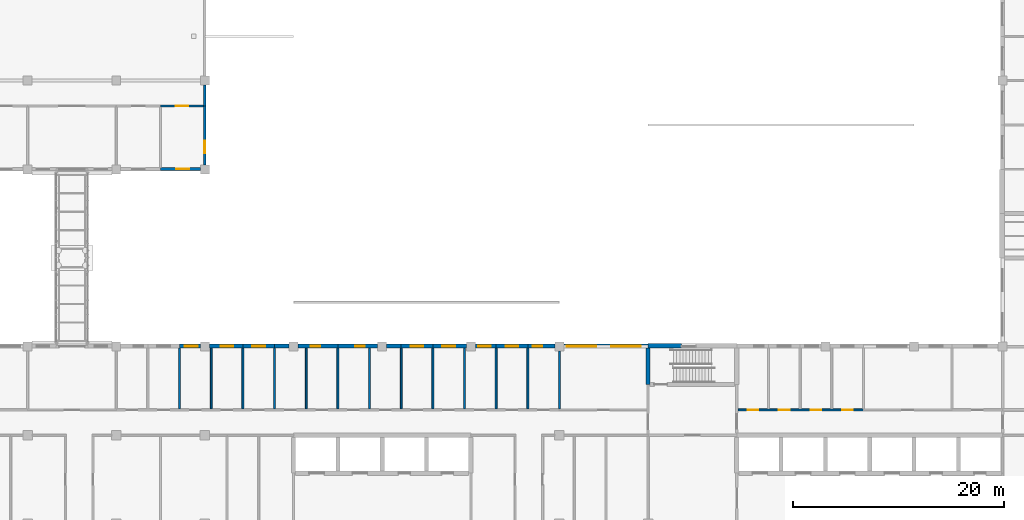
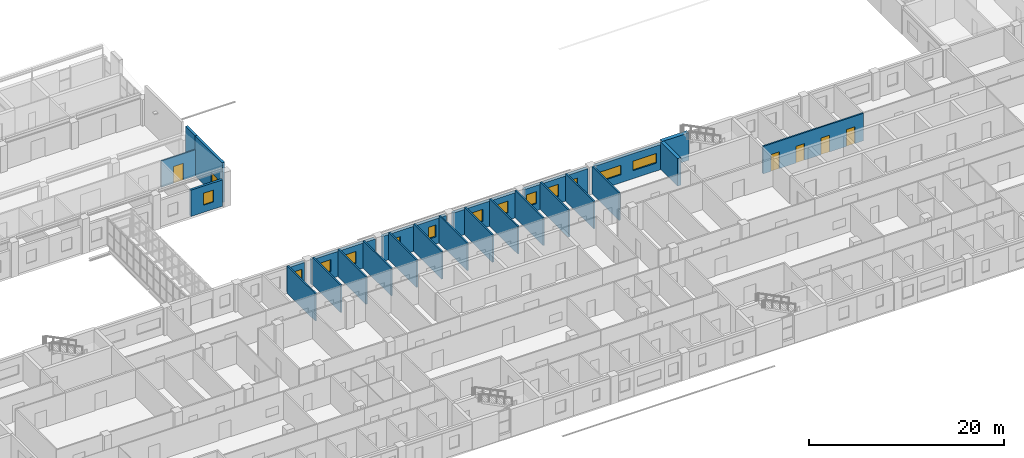
# One storey, part 63 of 94: 33 walls, 14 windows, 5 doors, 19 openings.
"""IFC4 building model written with IfcOpenShell, lengths in metres."""

from ifc_helpers import new_model, si_unit, direction, frame, frame_2d, origin, place, context, subcontext, project, spatial, rectangle, extrude, material, layer, layer_set, type_object, element, fill, save


model = new_model("IFC4")

# Units and contexts
model_context = context("Model", 3, precision=1e-05, world=origin(), true_north=direction((0.0, 1.0)))
body_context = subcontext(model_context, "Body", "Model", "MODEL_VIEW")
ifc_project = project(units=[si_unit("LENGTHUNIT", "METRE"), si_unit("AREAUNIT", "SQUARE_METRE"), si_unit("VOLUMEUNIT", "CUBIC_METRE"), si_unit("PLANEANGLEUNIT", "RADIAN"), si_unit("MASSUNIT", "GRAM", prefix="KILO")], contexts=[model_context])

# Site, building, storey
site_placement = place(None, origin())
site = spatial("IfcSite", under=ifc_project, at=site_placement, CompositionType="ELEMENT")
building_placement = place(site_placement, origin())
building = spatial("IfcBuilding", under=site, at=building_placement, Name="Yavir Park General Hospital", CompositionType="ELEMENT")
storey_placement = place(building_placement, frame((0.0, 0.0, 4.5)))
storey = spatial("IfcBuildingStorey", under=building, at=storey_placement, Name="L01", CompositionType="ELEMENT", Elevation=4.5)

# Wall, openings, doors
ifc_material_1 = material(Name="Double-leaf gypsum board acoustic partition on staggered studs")
ifc_layer_1 = layer(ifc_material_1, 0.175048828125)
ifc_layer_set_1 = layer_set([ifc_layer_1], Name="Double-leaf gypsum board acoustic partition on staggered studs")
wall_type_1 = type_object("IfcWallType", Name="Acoustic partition 175", PredefinedType="PARTITIONING", material=ifc_layer_set_1)
wall_1_placement = place(storey_placement, frame((117.699951171875, 27.60009765625, 0.0), z_axis=(0.0, 0.0, 1.0), x_axis=(1.0, 0.0, 0.0)))
wall_1 = element("IfcWall", 1, at=wall_1_placement, inside=storey, type_object=wall_type_1, Name="AP175 L01-118", PredefinedType="PARTITIONING", context=body_context, shape_type="SweptSolid", body=[
    extrude(rectangle(XDim=11.900146484375, YDim=0.175048828125, at=frame_2d((5.9501953125, 0.0))), origin(), (0.0, 0.0, 1.0), 3.449951171875),
])
opening_1_placement = place(wall_1_placement, frame((0.949951171875, 0.0, 0.0)))
opening_1 = element("IfcOpeningElement", 2, at=opening_1_placement, cuts=wall_1, Name="Opening L01.D133", PredefinedType="OPENING", context=body_context, shape_type="SweptSolid", body=[
    extrude(rectangle(XDim=1.0, YDim=2.10009765625, at=frame_2d((0.5, 1.050048828125))), frame((0.0, 0.097412109375, 0.0), z_axis=(0.0, -1.0, 0.0), x_axis=(1.0, 0.0, 0.0)), (0.0, 0.0, 1.0), 0.195068359375),
])
opening_2_placement = place(wall_1_placement, frame((3.89990234375, 0.0, 0.0)))
opening_2 = element("IfcOpeningElement", 3, at=opening_2_placement, cuts=wall_1, Name="Opening L01.D134", PredefinedType="OPENING", context=body_context, shape_type="SweptSolid", body=[
    extrude(rectangle(XDim=1.0, YDim=2.10009765625, at=frame_2d((0.5, 1.050048828125))), frame((0.0, 0.097412109375, 0.0), z_axis=(0.0, -1.0, 0.0), x_axis=(1.0, 0.0, 0.0)), (0.0, 0.0, 1.0), 0.195068359375),
])
opening_3_placement = place(wall_1_placement, frame((6.89990234375, 0.0, 0.0)))
opening_3 = element("IfcOpeningElement", 4, at=opening_3_placement, cuts=wall_1, Name="Opening L01.D135", PredefinedType="OPENING", context=body_context, shape_type="SweptSolid", body=[
    extrude(rectangle(XDim=1.0, YDim=2.10009765625, at=frame_2d((0.5, 1.050048828125))), frame((0.0, 0.097412109375, 0.0), z_axis=(0.0, -1.0, 0.0), x_axis=(1.0, 0.0, 0.0)), (0.0, 0.0, 1.0), 0.195068359375),
])
opening_4_placement = place(wall_1_placement, frame((9.89990234375, 0.0, 0.0)))
opening_4 = element("IfcOpeningElement", 5, at=opening_4_placement, cuts=wall_1, Name="Opening L01.D136", PredefinedType="OPENING", context=body_context, shape_type="SweptSolid", body=[
    extrude(rectangle(XDim=1.0, YDim=2.10009765625, at=frame_2d((0.5, 1.050048828125))), frame((0.0, 0.097412109375, 0.0), z_axis=(0.0, -1.0, 0.0), x_axis=(1.0, 0.0, 0.0)), (0.0, 0.0, 1.0), 0.195068359375),
])
ifc_material_2 = material(Name="Sealed solid-core acoustic door leaf, Rw 42 dB")
door_type_1 = type_object("IfcDoorType", Name="Acoustic door 1000 x 2100", OperationType="SINGLE_SWING_LEFT", PredefinedType="DOOR", material=ifc_material_2)
door_1_placement = place(opening_1_placement, origin())
door_1 = element("IfcDoor", 6, at=door_1_placement, inside=storey, type_object=door_type_1, Name="L01.D133", OperationType="SINGLE_SWING_LEFT", OverallHeight=2.10009765625, OverallWidth=1.0, PredefinedType="DOOR", context=body_context, shape_type="SweptSolid", body=[
    extrude(rectangle(XDim=1.0, YDim=2.10009765625, at=frame_2d((0.5, 1.050048828125))), frame((0.0, 0.03515625, 0.0), z_axis=(0.0, -1.0, 0.0), x_axis=(1.0, 0.0, 0.0)), (0.0, 0.0, 1.0), 0.070068359375),
])
fill(opening_1, door_1)
door_2_placement = place(opening_2_placement, origin())
door_2 = element("IfcDoor", 7, at=door_2_placement, inside=storey, type_object=door_type_1, Name="L01.D134", OperationType="SINGLE_SWING_RIGHT", OverallHeight=2.10009765625, OverallWidth=1.0, PredefinedType="DOOR", context=body_context, shape_type="SweptSolid", body=[
    extrude(rectangle(XDim=1.0, YDim=2.10009765625, at=frame_2d((0.5, 1.050048828125))), frame((0.0, 0.03515625, 0.0), z_axis=(0.0, -1.0, 0.0), x_axis=(1.0, 0.0, 0.0)), (0.0, 0.0, 1.0), 0.070068359375),
])
fill(opening_2, door_2)
door_3_placement = place(opening_3_placement, origin())
door_3 = element("IfcDoor", 8, at=door_3_placement, inside=storey, type_object=door_type_1, Name="L01.D135", OperationType="SINGLE_SWING_RIGHT", OverallHeight=2.10009765625, OverallWidth=1.0, PredefinedType="DOOR", context=body_context, shape_type="SweptSolid", body=[
    extrude(rectangle(XDim=1.0, YDim=2.10009765625, at=frame_2d((0.5, 1.050048828125))), frame((0.0, 0.03515625, 0.0), z_axis=(0.0, -1.0, 0.0), x_axis=(1.0, 0.0, 0.0)), (0.0, 0.0, 1.0), 0.070068359375),
])
fill(opening_3, door_3)
door_4_placement = place(opening_4_placement, origin())
door_4 = element("IfcDoor", 9, at=door_4_placement, inside=storey, type_object=door_type_1, Name="L01.D136", OperationType="SINGLE_SWING_RIGHT", OverallHeight=2.10009765625, OverallWidth=1.0, PredefinedType="DOOR", context=body_context, shape_type="SweptSolid", body=[
    extrude(rectangle(XDim=1.0, YDim=2.10009765625, at=frame_2d((0.5, 1.050048828125))), frame((0.0, 0.03515625, 0.0), z_axis=(0.0, -1.0, 0.0), x_axis=(1.0, 0.0, 0.0)), (0.0, 0.0, 1.0), 0.070068359375),
])
fill(opening_4, door_4)

# Walls
for number, where, z_axis, x_axis, name in (
    (10, (64.800048828125, 27.6875, 0.0), (0.0, 0.0, 1.0), (0.0, 1.0, 0.0), "AP175 L01-373"),
    (11, (67.800048828125, 27.6875, 0.0), (0.0, 0.0, 1.0), (0.0, 1.0, 0.0), "AP175 L01-377"),
    (12, (70.800048828125, 27.6875, 0.0), (0.0, 0.0, 1.0), (0.0, 1.0, 0.0), "AP175 L01-379"),
    (13, (73.800048828125, 27.6875, 0.0), (0.0, 0.0, 1.0), (0.0, 1.0, 0.0), "AP175 L01-381"),
    (14, (76.800048828125, 27.6875, 0.0), (0.0, 0.0, 1.0), (0.0, 1.0, 0.0), "AP175 L01-386"),
    (15, (79.800048828125, 27.6875, 0.0), (0.0, 0.0, 1.0), (0.0, 1.0, 0.0), "AP175 L01-389"),
    (16, (82.800048828125, 27.6875, 0.0), (0.0, 0.0, 1.0), (0.0, 1.0, 0.0), "AP175 L01-391"),
    (17, (85.800048828125, 27.6875, 0.0), (0.0, 0.0, 1.0), (0.0, 1.0, 0.0), "AP175 L01-393"),
    (18, (88.800048828125, 27.6875, 0.0), (0.0, 0.0, 1.0), (0.0, 1.0, 0.0), "AP175 L01-397"),
    (19, (91.800048828125, 27.6875, 0.0), (0.0, 0.0, 1.0), (0.0, 1.0, 0.0), "AP175 L01-399"),
    (20, (94.800048828125, 27.6875, 0.0), (0.0, 0.0, 1.0), (0.0, 1.0, 0.0), "AP175 L01-406"),
    (21, (97.800048828125, 27.6875, 0.0), (0.0, 0.0, 1.0), (0.0, 1.0, 0.0), "AP175 L01-410"),
):
    element("IfcWall", number, at=place(storey_placement, frame(where, z_axis=z_axis, x_axis=x_axis)), inside=storey, type_object=wall_type_1, Name=name, PredefinedType="PARTITIONING", context=body_context, shape_type="SweptSolid", body=[
        extrude(rectangle(XDim=5.762451171875, YDim=0.175048828125, at=frame_2d((2.88134765625, 0.0))), origin(), (0.0, 0.0, 1.0), 3.449951171875),
    ])
wall_2_placement = place(storey_placement, frame((100.800048828125, 27.6875, 0.0), z_axis=(0.0, 0.0, 1.0), x_axis=(0.0, 1.0, 0.0)))
element("IfcWall", 22, at=wall_2_placement, inside=storey, type_object=wall_type_1, Name="AP175 L01-415", PredefinedType="PARTITIONING", context=body_context, shape_type="SweptSolid", body=[
    extrude(rectangle(XDim=5.487548828125, YDim=0.175048828125, at=frame_2d((2.74365234375, 0.0))), origin(), (0.0, 0.0, 1.0), 3.449951171875),
])

# Wall, opening, window
ifc_material_3 = material(Name="Brick slip cladding on insulated block backing", Category="masonry")
ifc_layer_2 = layer(ifc_material_3, 0.27490234375)
ifc_layer_set_2 = layer_set([ifc_layer_2], Name="Brick slip cladding on insulated block backing")
wall_type_2 = type_object("IfcWallType", Name="Brick slip faced pavilion wall 275, E 30", PredefinedType="SOLIDWALL", material=ifc_layer_set_2)
wall_3_placement = place(storey_placement, frame((63.0, 50.41259765625, 0.0), z_axis=(0.0, 0.0, 1.0), x_axis=(1.0, 0.0, 0.0)))
wall_3 = element("IfcWall", 23, at=wall_3_placement, inside=storey, type_object=wall_type_2, Name="XW3 L01-096", PredefinedType="SOLIDWALL", context=body_context, shape_type="SweptSolid", body=[
    extrude(rectangle(XDim=3.77490234375, YDim=0.27490234375, at=frame_2d((1.887451171875, 0.0))), origin(), (0.0, 0.0, 1.0), 3.300048828125),
])
opening_5_placement = place(wall_3_placement, frame((1.5, 0.0, 0.89990234375)))
opening_5 = element("IfcOpeningElement", 24, at=opening_5_placement, cuts=wall_3, Name="Opening WD", PredefinedType="OPENING", context=body_context, shape_type="SweptSolid", body=[
    extrude(rectangle(XDim=1.199951171875, YDim=1.5, at=frame_2d((0.60009765625, 0.75))), frame((0.0, 0.1474609375, 0.0), z_axis=(0.0, -1.0, 0.0), x_axis=(1.0, 0.0, 0.0)), (0.0, 0.0, 1.0), 0.294921875),
])
ifc_material_4 = material(Name="Aluminium frame, double glazed unit", Category="aluminium")
window_type_1 = type_object("IfcWindowType", Name="Office window 1200 x 1500", PartitioningType="SINGLE_PANEL", PredefinedType="WINDOW", material=ifc_material_4)
window_1_placement = place(opening_5_placement, origin())
window_1 = element("IfcWindow", 25, at=window_1_placement, inside=storey, type_object=window_type_1, Name="WD L01-062", OverallHeight=1.5, OverallWidth=1.199951171875, PartitioningType="SINGLE_PANEL", PredefinedType="WINDOW", context=body_context, shape_type="SweptSolid", body=[
    extrude(rectangle(XDim=1.199951171875, YDim=1.5, at=frame_2d((0.60009765625, 0.75))), frame((0.0, 0.030029296875, 0.0), z_axis=(0.0, -1.0, 0.0), x_axis=(1.0, 0.0, 0.0)), (0.0, 0.0, 1.0), 0.06005859375),
])
fill(opening_5, window_1)

wall_4_placement = place(storey_placement, frame((67.1875, 50.824951171875, 0.0), z_axis=(0.0, 0.0, 1.0), x_axis=(0.0, 1.0, 0.0)))
wall_4 = element("IfcWall", 26, at=wall_4_placement, inside=storey, type_object=wall_type_2, Name="XW3 L01-186", PredefinedType="SOLIDWALL", context=body_context, shape_type="SweptSolid", body=[
    extrude(rectangle(XDim=5.574951171875, YDim=0.27490234375, at=frame_2d((2.78759765625, 0.0))), origin(), (0.0, 0.0, 1.0), 5.0),
])
opening_6_placement = place(wall_4_placement, frame((1.074951171875, 0.0, 0.89990234375)))
opening_6 = element("IfcOpeningElement", 27, at=opening_6_placement, cuts=wall_4, Name="Opening WD", PredefinedType="OPENING", context=body_context, shape_type="SweptSolid", body=[
    extrude(rectangle(XDim=1.199951171875, YDim=1.5, at=frame_2d((0.60009765625, 0.75))), frame((0.0, 0.1474609375, 0.0), z_axis=(0.0, -1.0, 0.0), x_axis=(1.0, 0.0, 0.0)), (0.0, 0.0, 1.0), 0.294921875),
])
window_2_placement = place(opening_6_placement, origin())
window_2 = element("IfcWindow", 28, at=window_2_placement, inside=storey, type_object=window_type_1, Name="WD L01-102", OverallHeight=1.5, OverallWidth=1.199951171875, PartitioningType="SINGLE_PANEL", PredefinedType="WINDOW", context=body_context, shape_type="SweptSolid", body=[
    extrude(rectangle(XDim=1.199951171875, YDim=1.5, at=frame_2d((0.60009765625, 0.75))), frame((0.0, 0.030029296875, 0.0), z_axis=(0.0, -1.0, 0.0), x_axis=(1.0, 0.0, 0.0)), (0.0, 0.0, 1.0), 0.06005859375),
])
fill(opening_6, window_2)

# Wall
wall_5_placement = place(storey_placement, frame((67.1875, 56.39990234375, 0.0), z_axis=(0.0, 0.0, 1.0), x_axis=(0.0, 1.0, 0.0)))
element("IfcWall", 29, at=wall_5_placement, inside=storey, type_object=wall_type_2, Name="XW3 L01-187", PredefinedType="SOLIDWALL", context=body_context, shape_type="SweptSolid", body=[
    extrude(rectangle(XDim=1.97509765625, YDim=0.27490234375, at=frame_2d((0.987548828125, 0.0))), origin(), (0.0, 0.0, 1.0), 5.0),
])

# Wall, opening, door
ifc_material_5 = material(Name="Gypsum board partition on steel studs", Category="steel")
ifc_layer_3 = layer(ifc_material_5, 0.14990234375)
ifc_layer_set_3 = layer_set([ifc_layer_3], Name="Gypsum board partition on steel studs")
wall_type_3 = type_object("IfcWallType", Name="Gypsum board partition 150", PredefinedType="PARTITIONING", material=ifc_layer_set_3)
wall_6_placement = place(storey_placement, frame((63.0, 56.39990234375, 0.0), z_axis=(0.0, 0.0, 1.0), x_axis=(1.0, 0.0, 0.0)))
wall_6 = element("IfcWall", 30, at=wall_6_placement, inside=storey, type_object=wall_type_3, Name="P15 L01-170", PredefinedType="PARTITIONING", context=body_context, shape_type="SweptSolid", body=[
    extrude(rectangle(XDim=4.050048828125, YDim=0.14990234375, at=frame_2d((2.02490234375, 0.0))), origin(), (0.0, 0.0, 1.0), 3.300048828125),
])
opening_7_placement = place(wall_6_placement, frame((1.425048828125, 0.0, 0.0)))
opening_7 = element("IfcOpeningElement", 31, at=opening_7_placement, cuts=wall_6, Name="Opening L01.D151", PredefinedType="OPENING", context=body_context, shape_type="SweptSolid", body=[
    extrude(rectangle(XDim=1.199951171875, YDim=2.10009765625, at=frame_2d((0.60009765625, 1.050048828125))), frame((0.0, 0.0849609375, 0.0), z_axis=(0.0, -1.0, 0.0), x_axis=(1.0, 0.0, 0.0)), (0.0, 0.0, 1.0), 0.169921875),
])
ifc_material_6 = material(Name="Hollow metal frame, solid-core timber leaf", Category="wood")
door_type_2 = type_object("IfcDoorType", Name="Single swing door 1200 x 2100", OperationType="SINGLE_SWING_LEFT", PredefinedType="DOOR", material=ifc_material_6)
door_5_placement = place(opening_7_placement, origin())
door_5 = element("IfcDoor", 32, at=door_5_placement, inside=storey, type_object=door_type_2, Name="L01.D151", OperationType="SINGLE_SWING_LEFT", OverallHeight=2.10009765625, OverallWidth=1.199951171875, PredefinedType="DOOR", context=body_context, shape_type="SweptSolid", body=[
    extrude(rectangle(XDim=1.199951171875, YDim=2.10009765625, at=frame_2d((0.60009765625, 1.050048828125))), frame((0.0, 0.02490234375, 0.0), z_axis=(0.0, -1.0, 0.0), x_axis=(1.0, 0.0, 0.0)), (0.0, 0.0, 1.0), 0.050048828125),
])
fill(opening_7, door_5)

# Wall, opening, window
ifc_material_7 = material(Name="Autoclaved aerated block, 150 mm mineral wool and sand-coloured mineral render")
ifc_layer_4 = layer(ifc_material_7, 0.375)
ifc_layer_set_4 = layer_set([ifc_layer_4], Name="Autoclaved aerated block, 150 mm mineral wool and sand-coloured mineral render")
wall_type_4 = type_object("IfcWallType", Name="Mineral render clinical wall 375, E 30", PredefinedType="SOLIDWALL", material=ifc_layer_set_4)
wall_7_placement = place(storey_placement, frame((64.800048828125, 33.637451171875, 0.0), z_axis=(0.0, 0.0, 1.0), x_axis=(1.0, 0.0, 0.0)))
wall_7 = element("IfcWall", 33, at=wall_7_placement, inside=storey, type_object=wall_type_4, Name="XW1 L01-061", PredefinedType="SOLIDWALL", context=body_context, shape_type="SweptSolid", body=[
    extrude(rectangle(XDim=1.974853515625, YDim=0.375, at=frame_2d((0.9873046875, 0.0))), origin(), (0.0, 0.0, 1.0), 3.14990234375),
])
opening_8_placement = place(wall_7_placement, frame((0.5, 0.0, 0.89990234375)))
opening_8 = element("IfcOpeningElement", 34, at=opening_8_placement, cuts=wall_7, Name="Opening WD", PredefinedType="OPENING", context=body_context, shape_type="SweptSolid", body=[
    extrude(rectangle(XDim=1.199951171875, YDim=1.5, at=frame_2d((0.60009765625, 0.75))), frame((0.0, 0.197509765625, 0.0), z_axis=(0.0, -1.0, 0.0), x_axis=(1.0, 0.0, 0.0)), (0.0, 0.0, 1.0), 0.39501953125),
])
window_3_placement = place(opening_8_placement, origin())
window_3 = element("IfcWindow", 35, at=window_3_placement, inside=storey, type_object=window_type_1, Name="WD L01-036", OverallHeight=1.5, OverallWidth=1.199951171875, PartitioningType="SINGLE_PANEL", PredefinedType="WINDOW", context=body_context, shape_type="SweptSolid", body=[
    extrude(rectangle(XDim=1.199951171875, YDim=1.5, at=frame_2d((0.60009765625, 0.75))), frame((0.0, 0.030029296875, 0.0), z_axis=(0.0, -1.0, 0.0), x_axis=(1.0, 0.0, 0.0)), (0.0, 0.0, 1.0), 0.06005859375),
])
fill(opening_8, window_3)

wall_8_placement = place(storey_placement, frame((67.625, 33.637451171875, 0.0), z_axis=(0.0, 0.0, 1.0), x_axis=(1.0, 0.0, 0.0)))
wall_8 = element("IfcWall", 36, at=wall_8_placement, inside=storey, type_object=wall_type_4, Name="XW1 L01-063", PredefinedType="SOLIDWALL", context=body_context, shape_type="SweptSolid", body=[
    extrude(rectangle(XDim=3.175048828125, YDim=0.375, at=frame_2d((1.58740234375, 0.0))), origin(), (0.0, 0.0, 1.0), 3.14990234375),
])
opening_9_placement = place(wall_8_placement, frame((1.074951171875, 0.0, 0.89990234375)))
opening_9 = element("IfcOpeningElement", 37, at=opening_9_placement, cuts=wall_8, Name="Opening WD", PredefinedType="OPENING", context=body_context, shape_type="SweptSolid", body=[
    extrude(rectangle(XDim=1.199951171875, YDim=1.5, at=frame_2d((0.60009765625, 0.75))), frame((0.0, 0.197509765625, 0.0), z_axis=(0.0, -1.0, 0.0), x_axis=(1.0, 0.0, 0.0)), (0.0, 0.0, 1.0), 0.39501953125),
])
window_4_placement = place(opening_9_placement, origin())
window_4 = element("IfcWindow", 38, at=window_4_placement, inside=storey, type_object=window_type_1, Name="WD L01-037", OverallHeight=1.5, OverallWidth=1.199951171875, PartitioningType="SINGLE_PANEL", PredefinedType="WINDOW", context=body_context, shape_type="SweptSolid", body=[
    extrude(rectangle(XDim=1.199951171875, YDim=1.5, at=frame_2d((0.60009765625, 0.75))), frame((0.0, 0.030029296875, 0.0), z_axis=(0.0, -1.0, 0.0), x_axis=(1.0, 0.0, 0.0)), (0.0, 0.0, 1.0), 0.06005859375),
])
fill(opening_9, window_4)

wall_9_placement = place(storey_placement, frame((70.800048828125, 33.637451171875, 0.0), z_axis=(0.0, 0.0, 1.0), x_axis=(1.0, 0.0, 0.0)))
wall_9 = element("IfcWall", 39, at=wall_9_placement, inside=storey, type_object=wall_type_4, Name="XW1 L01-064", PredefinedType="SOLIDWALL", context=body_context, shape_type="SweptSolid", body=[
    extrude(rectangle(XDim=3.0, YDim=0.375, at=frame_2d((1.5, 0.0))), origin(), (0.0, 0.0, 1.0), 3.14990234375),
])
opening_10_placement = place(wall_9_placement, frame((0.89990234375, 0.0, 0.89990234375)))
opening_10 = element("IfcOpeningElement", 40, at=opening_10_placement, cuts=wall_9, Name="Opening WD", PredefinedType="OPENING", context=body_context, shape_type="SweptSolid", body=[
    extrude(rectangle(XDim=1.199951171875, YDim=1.5, at=frame_2d((0.60009765625, 0.75))), frame((0.0, 0.197509765625, 0.0), z_axis=(0.0, -1.0, 0.0), x_axis=(1.0, 0.0, 0.0)), (0.0, 0.0, 1.0), 0.39501953125),
])
window_5_placement = place(opening_10_placement, origin())
window_5 = element("IfcWindow", 41, at=window_5_placement, inside=storey, type_object=window_type_1, Name="WD L01-038", OverallHeight=1.5, OverallWidth=1.199951171875, PartitioningType="SINGLE_PANEL", PredefinedType="WINDOW", context=body_context, shape_type="SweptSolid", body=[
    extrude(rectangle(XDim=1.199951171875, YDim=1.5, at=frame_2d((0.60009765625, 0.75))), frame((0.0, 0.030029296875, 0.0), z_axis=(0.0, -1.0, 0.0), x_axis=(1.0, 0.0, 0.0)), (0.0, 0.0, 1.0), 0.06005859375),
])
fill(opening_10, window_5)

# Wall
wall_10_placement = place(storey_placement, frame((73.800048828125, 33.637451171875, 0.0), z_axis=(0.0, 0.0, 1.0), x_axis=(1.0, 0.0, 0.0)))
element("IfcWall", 42, at=wall_10_placement, inside=storey, type_object=wall_type_4, Name="XW1 L01-065", PredefinedType="SOLIDWALL", context=body_context, shape_type="SweptSolid", body=[
    extrude(rectangle(XDim=1.375, YDim=0.375, at=frame_2d((0.6875, 0.0))), origin(), (0.0, 0.0, 1.0), 3.14990234375),
])

# Wall, opening, window
wall_11_placement = place(storey_placement, frame((76.02490234375, 33.637451171875, 0.0), z_axis=(0.0, 0.0, 1.0), x_axis=(1.0, 0.0, 0.0)))
wall_11 = element("IfcWall", 43, at=wall_11_placement, inside=storey, type_object=wall_type_4, Name="XW1 L01-067", PredefinedType="SOLIDWALL", context=body_context, shape_type="SweptSolid", body=[
    extrude(rectangle(XDim=3.775146484375, YDim=0.375, at=frame_2d((1.8876953125, 0.0))), origin(), (0.0, 0.0, 1.0), 3.14990234375),
])
opening_11_placement = place(wall_11_placement, frame((1.22509765625, 0.0, 0.89990234375)))
opening_11 = element("IfcOpeningElement", 44, at=opening_11_placement, cuts=wall_11, Name="Opening WH", PredefinedType="OPENING", context=body_context, shape_type="SweptSolid", body=[
    extrude(rectangle(XDim=0.89990234375, YDim=1.5, at=frame_2d((0.449951171875, 0.75))), frame((0.0, 0.197509765625, 0.0), z_axis=(0.0, -1.0, 0.0), x_axis=(1.0, 0.0, 0.0)), (0.0, 0.0, 1.0), 0.39501953125),
])
ifc_material_8 = material(Name="Aluminium frame, double glazed unit", Category="aluminium")
window_type_2 = type_object("IfcWindowType", Name="Narrow window 900 x 1500", PartitioningType="SINGLE_PANEL", PredefinedType="WINDOW", material=ifc_material_8)
window_6_placement = place(opening_11_placement, origin())
window_6 = element("IfcWindow", 45, at=window_6_placement, inside=storey, type_object=window_type_2, Name="WH L01-039", OverallHeight=1.5, OverallWidth=0.89990234375, PartitioningType="SINGLE_PANEL", PredefinedType="WINDOW", context=body_context, shape_type="SweptSolid", body=[
    extrude(rectangle(XDim=0.89990234375, YDim=1.5, at=frame_2d((0.449951171875, 0.75))), frame((0.0, 0.030029296875, 0.0), z_axis=(0.0, -1.0, 0.0), x_axis=(1.0, 0.0, 0.0)), (0.0, 0.0, 1.0), 0.06005859375),
])
fill(opening_11, window_6)

wall_12_placement = place(storey_placement, frame((79.800048828125, 33.637451171875, 0.0), z_axis=(0.0, 0.0, 1.0), x_axis=(1.0, 0.0, 0.0)))
wall_12 = element("IfcWall", 46, at=wall_12_placement, inside=storey, type_object=wall_type_4, Name="XW1 L01-068", PredefinedType="SOLIDWALL", context=body_context, shape_type="SweptSolid", body=[
    extrude(rectangle(XDim=3.77490234375, YDim=0.375, at=frame_2d((1.887451171875, 0.0))), origin(), (0.0, 0.0, 1.0), 3.14990234375),
])
opening_12_placement = place(wall_12_placement, frame((1.64990234375, 0.0, 0.89990234375)))
opening_12 = element("IfcOpeningElement", 47, at=opening_12_placement, cuts=wall_12, Name="Opening WH", PredefinedType="OPENING", context=body_context, shape_type="SweptSolid", body=[
    extrude(rectangle(XDim=0.89990234375, YDim=1.5, at=frame_2d((0.449951171875, 0.75))), frame((0.0, 0.197509765625, 0.0), z_axis=(0.0, -1.0, 0.0), x_axis=(1.0, 0.0, 0.0)), (0.0, 0.0, 1.0), 0.39501953125),
])
window_7_placement = place(opening_12_placement, origin())
window_7 = element("IfcWindow", 48, at=window_7_placement, inside=storey, type_object=window_type_2, Name="WH L01-040", OverallHeight=1.5, OverallWidth=0.89990234375, PartitioningType="SINGLE_PANEL", PredefinedType="WINDOW", context=body_context, shape_type="SweptSolid", body=[
    extrude(rectangle(XDim=0.89990234375, YDim=1.5, at=frame_2d((0.449951171875, 0.75))), frame((0.0, 0.030029296875, 0.0), z_axis=(0.0, -1.0, 0.0), x_axis=(1.0, 0.0, 0.0)), (0.0, 0.0, 1.0), 0.06005859375),
])
fill(opening_12, window_7)

# Wall
wall_13_placement = place(storey_placement, frame((84.425048828125, 33.637451171875, 0.0), z_axis=(0.0, 0.0, 1.0), x_axis=(1.0, 0.0, 0.0)))
element("IfcWall", 49, at=wall_13_placement, inside=storey, type_object=wall_type_4, Name="XW1 L01-070", PredefinedType="SOLIDWALL", context=body_context, shape_type="SweptSolid", body=[
    extrude(rectangle(XDim=1.375, YDim=0.375, at=frame_2d((0.6875, 0.0))), origin(), (0.0, 0.0, 1.0), 3.14990234375),
])

# Wall, opening, window
wall_14_placement = place(storey_placement, frame((85.800048828125, 33.637451171875, 0.0), z_axis=(0.0, 0.0, 1.0), x_axis=(1.0, 0.0, 0.0)))
wall_14 = element("IfcWall", 50, at=wall_14_placement, inside=storey, type_object=wall_type_4, Name="XW1 L01-071", PredefinedType="SOLIDWALL", context=body_context, shape_type="SweptSolid", body=[
    extrude(rectangle(XDim=3.0, YDim=0.375, at=frame_2d((1.5, 0.0))), origin(), (0.0, 0.0, 1.0), 3.14990234375),
])
opening_13_placement = place(wall_14_placement, frame((0.89990234375, 0.0, 0.89990234375)))
opening_13 = element("IfcOpeningElement", 51, at=opening_13_placement, cuts=wall_14, Name="Opening WD", PredefinedType="OPENING", context=body_context, shape_type="SweptSolid", body=[
    extrude(rectangle(XDim=1.199951171875, YDim=1.5, at=frame_2d((0.60009765625, 0.75))), frame((0.0, 0.197509765625, 0.0), z_axis=(0.0, -1.0, 0.0), x_axis=(1.0, 0.0, 0.0)), (0.0, 0.0, 1.0), 0.39501953125),
])
window_8_placement = place(opening_13_placement, origin())
window_8 = element("IfcWindow", 52, at=window_8_placement, inside=storey, type_object=window_type_1, Name="WD L01-041", OverallHeight=1.5, OverallWidth=1.199951171875, PartitioningType="SINGLE_PANEL", PredefinedType="WINDOW", context=body_context, shape_type="SweptSolid", body=[
    extrude(rectangle(XDim=1.199951171875, YDim=1.5, at=frame_2d((0.60009765625, 0.75))), frame((0.0, 0.030029296875, 0.0), z_axis=(0.0, -1.0, 0.0), x_axis=(1.0, 0.0, 0.0)), (0.0, 0.0, 1.0), 0.06005859375),
])
fill(opening_13, window_8)

wall_15_placement = place(storey_placement, frame((88.800048828125, 33.637451171875, 0.0), z_axis=(0.0, 0.0, 1.0), x_axis=(1.0, 0.0, 0.0)))
wall_15 = element("IfcWall", 53, at=wall_15_placement, inside=storey, type_object=wall_type_4, Name="XW1 L01-072", PredefinedType="SOLIDWALL", context=body_context, shape_type="SweptSolid", body=[
    extrude(rectangle(XDim=3.175048828125, YDim=0.375, at=frame_2d((1.58740234375, 0.0))), origin(), (0.0, 0.0, 1.0), 3.14990234375),
])
opening_14_placement = place(wall_15_placement, frame((0.89990234375, 0.0, 0.89990234375)))
opening_14 = element("IfcOpeningElement", 54, at=opening_14_placement, cuts=wall_15, Name="Opening WD", PredefinedType="OPENING", context=body_context, shape_type="SweptSolid", body=[
    extrude(rectangle(XDim=1.199951171875, YDim=1.5, at=frame_2d((0.60009765625, 0.75))), frame((0.0, 0.197509765625, 0.0), z_axis=(0.0, -1.0, 0.0), x_axis=(1.0, 0.0, 0.0)), (0.0, 0.0, 1.0), 0.39501953125),
])
window_9_placement = place(opening_14_placement, origin())
window_9 = element("IfcWindow", 55, at=window_9_placement, inside=storey, type_object=window_type_1, Name="WD L01-042", OverallHeight=1.5, OverallWidth=1.199951171875, PartitioningType="SINGLE_PANEL", PredefinedType="WINDOW", context=body_context, shape_type="SweptSolid", body=[
    extrude(rectangle(XDim=1.199951171875, YDim=1.5, at=frame_2d((0.60009765625, 0.75))), frame((0.0, 0.030029296875, 0.0), z_axis=(0.0, -1.0, 0.0), x_axis=(1.0, 0.0, 0.0)), (0.0, 0.0, 1.0), 0.06005859375),
])
fill(opening_14, window_9)

wall_16_placement = place(storey_placement, frame((92.824951171875, 33.637451171875, 0.0), z_axis=(0.0, 0.0, 1.0), x_axis=(1.0, 0.0, 0.0)))
wall_16 = element("IfcWall", 56, at=wall_16_placement, inside=storey, type_object=wall_type_4, Name="XW1 L01-074", PredefinedType="SOLIDWALL", context=body_context, shape_type="SweptSolid", body=[
    extrude(rectangle(XDim=1.97509765625, YDim=0.375, at=frame_2d((0.987548828125, 0.0))), origin(), (0.0, 0.0, 1.0), 3.14990234375),
])
opening_15_placement = place(wall_16_placement, frame((0.27490234375, 0.0, 0.89990234375)))
opening_15 = element("IfcOpeningElement", 57, at=opening_15_placement, cuts=wall_16, Name="Opening WD", PredefinedType="OPENING", context=body_context, shape_type="SweptSolid", body=[
    extrude(rectangle(XDim=1.199951171875, YDim=1.5, at=frame_2d((0.60009765625, 0.75))), frame((0.0, 0.197509765625, 0.0), z_axis=(0.0, -1.0, 0.0), x_axis=(1.0, 0.0, 0.0)), (0.0, 0.0, 1.0), 0.39501953125),
])
window_10_placement = place(opening_15_placement, origin())
window_10 = element("IfcWindow", 58, at=window_10_placement, inside=storey, type_object=window_type_1, Name="WD L01-043", OverallHeight=1.5, OverallWidth=1.199951171875, PartitioningType="SINGLE_PANEL", PredefinedType="WINDOW", context=body_context, shape_type="SweptSolid", body=[
    extrude(rectangle(XDim=1.199951171875, YDim=1.5, at=frame_2d((0.60009765625, 0.75))), frame((0.0, 0.030029296875, 0.0), z_axis=(0.0, -1.0, 0.0), x_axis=(1.0, 0.0, 0.0)), (0.0, 0.0, 1.0), 0.06005859375),
])
fill(opening_15, window_10)

wall_17_placement = place(storey_placement, frame((94.800048828125, 33.637451171875, 0.0), z_axis=(0.0, 0.0, 1.0), x_axis=(1.0, 0.0, 0.0)))
wall_17 = element("IfcWall", 59, at=wall_17_placement, inside=storey, type_object=wall_type_4, Name="XW1 L01-075", PredefinedType="SOLIDWALL", context=body_context, shape_type="SweptSolid", body=[
    extrude(rectangle(XDim=3.0, YDim=0.375, at=frame_2d((1.5, 0.0))), origin(), (0.0, 0.0, 1.0), 3.14990234375),
])
opening_16_placement = place(wall_17_placement, frame((0.89990234375, 0.0, 0.89990234375)))
opening_16 = element("IfcOpeningElement", 60, at=opening_16_placement, cuts=wall_17, Name="Opening WD", PredefinedType="OPENING", context=body_context, shape_type="SweptSolid", body=[
    extrude(rectangle(XDim=1.199951171875, YDim=1.5, at=frame_2d((0.60009765625, 0.75))), frame((0.0, 0.197509765625, 0.0), z_axis=(0.0, -1.0, 0.0), x_axis=(1.0, 0.0, 0.0)), (0.0, 0.0, 1.0), 0.39501953125),
])
window_11_placement = place(opening_16_placement, origin())
window_11 = element("IfcWindow", 61, at=window_11_placement, inside=storey, type_object=window_type_1, Name="WD L01-044", OverallHeight=1.5, OverallWidth=1.199951171875, PartitioningType="SINGLE_PANEL", PredefinedType="WINDOW", context=body_context, shape_type="SweptSolid", body=[
    extrude(rectangle(XDim=1.199951171875, YDim=1.5, at=frame_2d((0.60009765625, 0.75))), frame((0.0, 0.030029296875, 0.0), z_axis=(0.0, -1.0, 0.0), x_axis=(1.0, 0.0, 0.0)), (0.0, 0.0, 1.0), 0.06005859375),
])
fill(opening_16, window_11)

wall_18_placement = place(storey_placement, frame((97.800048828125, 33.637451171875, 0.0), z_axis=(0.0, 0.0, 1.0), x_axis=(1.0, 0.0, 0.0)))
wall_18 = element("IfcWall", 62, at=wall_18_placement, inside=storey, type_object=wall_type_4, Name="XW1 L01-076", PredefinedType="SOLIDWALL", context=body_context, shape_type="SweptSolid", body=[
    extrude(rectangle(XDim=2.574951171875, YDim=0.375, at=frame_2d((1.28759765625, 0.0))), origin(), (0.0, 0.0, 1.0), 3.14990234375),
])
opening_17_placement = place(wall_18_placement, frame((0.449951171875, 0.0, 0.89990234375)))
opening_17 = element("IfcOpeningElement", 63, at=opening_17_placement, cuts=wall_18, Name="Opening WH", PredefinedType="OPENING", context=body_context, shape_type="SweptSolid", body=[
    extrude(rectangle(XDim=0.89990234375, YDim=1.5, at=frame_2d((0.449951171875, 0.75))), frame((0.0, 0.197509765625, 0.0), z_axis=(0.0, -1.0, 0.0), x_axis=(1.0, 0.0, 0.0)), (0.0, 0.0, 1.0), 0.39501953125),
])
window_12_placement = place(opening_17_placement, origin())
window_12 = element("IfcWindow", 64, at=window_12_placement, inside=storey, type_object=window_type_2, Name="WH L01-045", OverallHeight=1.5, OverallWidth=0.89990234375, PartitioningType="SINGLE_PANEL", PredefinedType="WINDOW", context=body_context, shape_type="SweptSolid", body=[
    extrude(rectangle(XDim=0.89990234375, YDim=1.5, at=frame_2d((0.449951171875, 0.75))), frame((0.0, 0.030029296875, 0.0), z_axis=(0.0, -1.0, 0.0), x_axis=(1.0, 0.0, 0.0)), (0.0, 0.0, 1.0), 0.06005859375),
])
fill(opening_17, window_12)

# Wall, openings, windows
wall_19_placement = place(storey_placement, frame((101.22509765625, 33.637451171875, 0.0), z_axis=(0.0, 0.0, 1.0), x_axis=(1.0, 0.0, 0.0)))
wall_19 = element("IfcWall", 65, at=wall_19_placement, inside=storey, type_object=wall_type_4, Name="XW1 L01-077", PredefinedType="SOLIDWALL", context=body_context, shape_type="SweptSolid", body=[
    extrude(rectangle(XDim=7.974853515625, YDim=0.375, at=frame_2d((3.9873046875, 0.0))), origin(), (0.0, 0.0, 1.0), 3.14990234375),
])
opening_18_placement = place(wall_19_placement, frame((0.27490234375, 0.0, 1.0)))
opening_18 = element("IfcOpeningElement", 66, at=opening_18_placement, cuts=wall_19, Name="Opening WRB", PredefinedType="OPENING", context=body_context, shape_type="SweptSolid", body=[
    extrude(rectangle(XDim=2.800048828125, YDim=1.199951171875, at=frame_2d((1.39990234375, 0.60009765625))), frame((0.0, 0.197509765625, 0.0), z_axis=(0.0, -1.0, 0.0), x_axis=(1.0, 0.0, 0.0)), (0.0, 0.0, 1.0), 0.39501953125),
])
opening_19_placement = place(wall_19_placement, frame((4.47509765625, 0.0, 1.0)))
opening_19 = element("IfcOpeningElement", 67, at=opening_19_placement, cuts=wall_19, Name="Opening WRB", PredefinedType="OPENING", context=body_context, shape_type="SweptSolid", body=[
    extrude(rectangle(XDim=2.800048828125, YDim=1.199951171875, at=frame_2d((1.39990234375, 0.60009765625))), frame((0.0, 0.197509765625, 0.0), z_axis=(0.0, -1.0, 0.0), x_axis=(1.0, 0.0, 0.0)), (0.0, 0.0, 1.0), 0.39501953125),
])
ifc_material_9 = material(Name="Aluminium frame, double glazed unit", Category="aluminium")
window_type_3 = type_object("IfcWindowType", Name="Ribbon window 2800 x 1200", PartitioningType="DOUBLE_PANEL_VERTICAL", PredefinedType="WINDOW", material=ifc_material_9)
window_13_placement = place(opening_18_placement, origin())
window_13 = element("IfcWindow", 68, at=window_13_placement, inside=storey, type_object=window_type_3, Name="WRB L01-046", OverallHeight=1.199951171875, OverallWidth=2.800048828125, PartitioningType="DOUBLE_PANEL_VERTICAL", PredefinedType="WINDOW", context=body_context, shape_type="SweptSolid", body=[
    extrude(rectangle(XDim=2.800048828125, YDim=1.199951171875, at=frame_2d((1.39990234375, 0.60009765625))), frame((0.0, 0.030029296875, 0.0), z_axis=(0.0, -1.0, 0.0), x_axis=(1.0, 0.0, 0.0)), (0.0, 0.0, 1.0), 0.06005859375),
])
fill(opening_18, window_13)
window_14_placement = place(opening_19_placement, origin())
window_14 = element("IfcWindow", 69, at=window_14_placement, inside=storey, type_object=window_type_3, Name="WRB L01-047", OverallHeight=1.199951171875, OverallWidth=2.800048828125, PartitioningType="DOUBLE_PANEL_VERTICAL", PredefinedType="WINDOW", context=body_context, shape_type="SweptSolid", body=[
    extrude(rectangle(XDim=2.800048828125, YDim=1.199951171875, at=frame_2d((1.39990234375, 0.60009765625))), frame((0.0, 0.030029296875, 0.0), z_axis=(0.0, -1.0, 0.0), x_axis=(1.0, 0.0, 0.0)), (0.0, 0.0, 1.0), 0.06005859375),
])
fill(opening_19, window_14)

# Walls
ifc_material_10 = material(Name="Concrete C35/45", Category="concrete")
ifc_layer_5 = layer(ifc_material_10, 0.39990234375)
ifc_layer_set_5 = layer_set([ifc_layer_5], Name="Concrete C35/45")
wall_type_5 = type_object("IfcWallType", Name="Reinforced concrete core wall 400, REI 150", PredefinedType="SHEAR", material=ifc_layer_set_5)
wall_20_placement = place(storey_placement, frame((109.199951171875, 30.0, 0.0), z_axis=(0.0, 0.0, 1.0), x_axis=(0.0, 1.0, 0.0)))
element("IfcWall", 70, at=wall_20_placement, inside=storey, type_object=wall_type_5, Name="CW40 L01-422", PredefinedType="SHEAR", context=body_context, shape_type="SweptSolid", body=[
    extrude(rectangle(XDim=3.449951171875, YDim=0.39990234375, at=frame_2d((1.72509765625, 0.0))), origin(), (0.0, 0.0, 1.0), 3.449951171875),
])
ifc_material_11 = material(Name="Concrete C30/37 precast panel with 150 mm mineral wool insulation", Category="concrete")
ifc_layer_6 = layer(ifc_material_11, 0.449951171875)
ifc_layer_set_6 = layer_set([ifc_layer_6], Name="Concrete C30/37 precast panel with 150 mm mineral wool insulation")
wall_type_6 = type_object("IfcWallType", Name="Stair enclosure wall 450, REI 150", PredefinedType="SOLIDWALL", material=ifc_layer_set_6)
wall_21_placement = place(storey_placement, frame((109.199951171875, 33.675048828125, 0.0), z_axis=(0.0, 0.0, 1.0), x_axis=(1.0, 0.0, 0.0)))
element("IfcWall", 71, at=wall_21_placement, inside=storey, type_object=wall_type_6, Name="XW6 L01-078", PredefinedType="SOLIDWALL", context=body_context, shape_type="SweptSolid", body=[
    extrude(rectangle(XDim=3.150146484375, YDim=0.449951171875, at=frame_2d((1.5751953125, 0.0))), origin(), (0.0, 0.0, 1.0), 3.449951171875),
])

save(model, "model.ifc")
